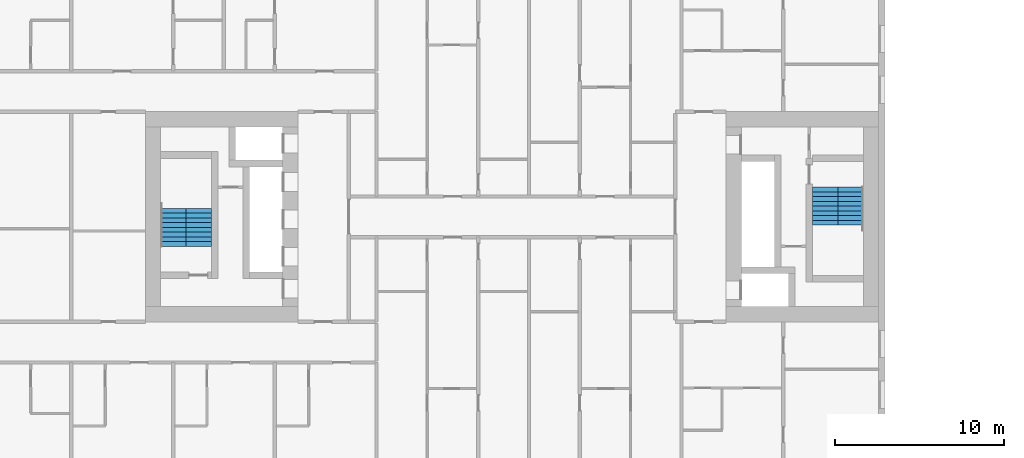
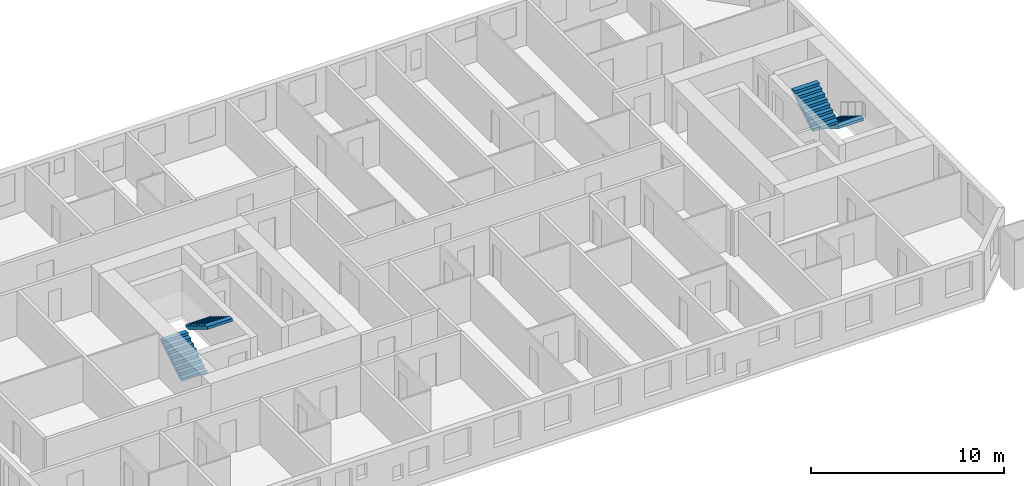
# One storey, part 16 of 17: 4 stair flights, 2 elements without a shape of their own.
"""IFC4 building model written with IfcOpenShell, lengths in metres."""

from ifc_helpers import new_model, si_unit, direction, frame, origin, place, context, subcontext, project, spatial, faceted_brep, material, type_object, element, aggregate, save


model = new_model("IFC4")

# Units and contexts
model_context = context("Model", 3, precision=1e-05, world=origin(), true_north=direction((0.0, 1.0)))
body_context = subcontext(model_context, "Body", "Model", "MODEL_VIEW")
ifc_project = project(units=[si_unit("LENGTHUNIT", "METRE"), si_unit("AREAUNIT", "SQUARE_METRE"), si_unit("VOLUMEUNIT", "CUBIC_METRE"), si_unit("PLANEANGLEUNIT", "RADIAN"), si_unit("MASSUNIT", "GRAM", prefix="KILO")], contexts=[model_context])

# Site, building, storey
site_placement = place(None, origin())
site = spatial("IfcSite", under=ifc_project, at=site_placement, CompositionType="ELEMENT")
building_placement = place(site_placement, origin())
building = spatial("IfcBuilding", under=site, at=building_placement, Name="Tuart Gate Housing", CompositionType="ELEMENT")
storey_placement = place(building_placement, frame((0.0, 0.0, 28.800048828125)))
storey = spatial("IfcBuildingStorey", under=building, at=storey_placement, Name="L07", CompositionType="ELEMENT", Elevation=28.800048828125)

# Stair, stair flights
ifc_material_1 = material(Name="Concrete C40", Category="concrete")
stair_type = type_object("IfcStairType", Name="Core stair 1500", PredefinedType="HALF_TURN_STAIR", material=ifc_material_1)
stair_1_placement = place(storey_placement, origin())
stair_1 = element("IfcStair", 1, at=stair_1_placement, inside=storey, type_object=stair_type, Name="Stair SA1", PredefinedType="HALF_TURN_STAIR")
ifc_material_2 = material(Name="Concrete C40", Category="concrete")
stair_flight_type = type_object("IfcStairFlightType", Name="Stair flight 1500, 9 risers 172 x 280", PredefinedType="STRAIGHT", material=ifc_material_2)
stair_flight_1_placement = place(storey_placement, frame((73.989990234375, 71.75, 0.0), z_axis=(0.0, 0.0, 1.0), x_axis=(0.0, -1.0, 0.0)))
stair_flight_1 = element("IfcStairFlight", 2, at=stair_flight_1_placement, type_object=stair_flight_type, Name="SA1 flight 1", NumberOfRisers=9, NumberOfTreads=8, PredefinedType="STRAIGHT", RiserHeight=0.172222222, TreadLength=0.28, context=body_context, shape_type="Brep", body=[
    faceted_brep([(0.0, 0.75, 0.0), (0.0, 0.75, 0.172119140625), (0.280029296875, 0.75, 0.172119140625), (0.280029296875, 0.75, 0.344482421875), (0.56005859375, 0.75, 0.344482421875), (0.56005859375, 0.75, 0.5166015625), (0.840087890625, 0.75, 0.5166015625), (0.840087890625, 0.75, 0.68896484375), (1.1201171875, 0.75, 0.68896484375), (1.1201171875, 0.75, 0.861083984375), (1.39990234375, 0.75, 0.861083984375), (1.39990234375, 0.75, 1.033447265625), (1.679931640625, 0.75, 1.033447265625), (1.679931640625, 0.75, 1.20556640625), (1.9599609375, 0.75, 1.20556640625), (1.9599609375, 0.75, 1.377685546875), (2.239990234375, 0.75, 1.377685546875), (2.239990234375, 0.75, 1.201904296875), (0.2861328125, 0.75, 0.0), (0.2861328125, -0.75, 0.0), (2.239990234375, -0.75, 1.201904296875), (2.239990234375, -0.75, 1.377685546875), (1.9599609375, -0.75, 1.377685546875), (1.9599609375, -0.75, 1.20556640625), (1.679931640625, -0.75, 1.20556640625), (1.679931640625, -0.75, 1.033447265625), (1.39990234375, -0.75, 1.033447265625), (1.39990234375, -0.75, 0.861083984375), (1.1201171875, -0.75, 0.861083984375), (1.1201171875, -0.75, 0.68896484375), (0.840087890625, -0.75, 0.68896484375), (0.840087890625, -0.75, 0.5166015625), (0.56005859375, -0.75, 0.5166015625), (0.56005859375, -0.75, 0.344482421875), (0.280029296875, -0.75, 0.344482421875), (0.280029296875, -0.75, 0.172119140625), (0.0, -0.75, 0.172119140625), (0.0, -0.75, 0.0), (2.239990234375, 0.0, 1.201904296875), (0.2861328125, 0.0, 0.0), (2.239990234375, 0.0, 1.377685546875), (1.9599609375, 0.0, 1.377685546875), (1.9599609375, 0.0, 1.20556640625), (1.679931640625, 0.0, 1.20556640625), (1.679931640625, 0.0, 1.033447265625), (1.39990234375, 0.0, 1.033447265625), (1.39990234375, 0.0, 0.861083984375), (1.1201171875, 0.0, 0.861083984375), (1.1201171875, 0.0, 0.68896484375), (0.840087890625, 0.0, 0.68896484375), (0.840087890625, 0.0, 0.5166015625), (0.56005859375, 0.0, 0.5166015625), (0.56005859375, 0.0, 0.344482421875), (0.280029296875, 0.0, 0.344482421875), (0.280029296875, 0.0, 0.172119140625), (0.0, 0.0, 0.172119140625), (0.0, 0.0, 0.0)], [[[0, 1, 2, 3, 4, 5, 6, 7, 8, 9, 10, 11, 12, 13, 14, 15, 16, 17, 18]], [[19, 20, 21, 22, 23, 24, 25, 26, 27, 28, 29, 30, 31, 32, 33, 34, 35, 36, 37]], [[18, 17, 38, 39]], [[39, 38, 20, 19]], [[17, 16, 40, 38]], [[38, 40, 21, 20]], [[16, 15, 41, 40]], [[40, 41, 22, 21]], [[15, 14, 42, 41]], [[41, 42, 23, 22]], [[14, 13, 43, 42]], [[42, 43, 24, 23]], [[13, 12, 44, 43]], [[43, 44, 25, 24]], [[12, 11, 45, 44]], [[44, 45, 26, 25]], [[11, 10, 46, 45]], [[45, 46, 27, 26]], [[10, 9, 47, 46]], [[46, 47, 28, 27]], [[9, 8, 48, 47]], [[47, 48, 29, 28]], [[8, 7, 49, 48]], [[48, 49, 30, 29]], [[7, 6, 50, 49]], [[49, 50, 31, 30]], [[6, 5, 51, 50]], [[50, 51, 32, 31]], [[5, 4, 52, 51]], [[51, 52, 33, 32]], [[4, 3, 53, 52]], [[52, 53, 34, 33]], [[3, 2, 54, 53]], [[53, 54, 35, 34]], [[2, 1, 55, 54]], [[54, 55, 36, 35]], [[1, 0, 56, 55]], [[55, 56, 37, 36]], [[0, 18, 39, 56]], [[56, 39, 19, 37]]]),
])
stair_flight_2_placement = place(storey_placement, frame((72.489990234375, 69.510009765625, 1.550048828125), z_axis=(0.0, 0.0, 1.0), x_axis=(0.0, 1.0, 0.0)))
stair_flight_2 = element("IfcStairFlight", 3, at=stair_flight_2_placement, type_object=stair_flight_type, Name="SA1 flight 2", NumberOfRisers=9, NumberOfTreads=8, PredefinedType="STRAIGHT", RiserHeight=0.172222222, TreadLength=0.28, context=body_context, shape_type="Brep", body=[
    faceted_brep([(0.0, 0.75, 0.0), (0.0, 0.75, 0.172119140625), (0.280029296875, 0.75, 0.172119140625), (0.280029296875, 0.75, 0.344482421875), (0.56005859375, 0.75, 0.344482421875), (0.56005859375, 0.75, 0.5166015625), (0.840087890625, 0.75, 0.5166015625), (0.840087890625, 0.75, 0.68896484375), (1.1201171875, 0.75, 0.68896484375), (1.1201171875, 0.75, 0.861083984375), (1.39990234375, 0.75, 0.861083984375), (1.39990234375, 0.75, 1.033447265625), (1.679931640625, 0.75, 1.033447265625), (1.679931640625, 0.75, 1.20556640625), (1.9599609375, 0.75, 1.20556640625), (1.9599609375, 0.75, 1.377685546875), (2.239990234375, 0.75, 1.377685546875), (2.239990234375, 0.75, 1.201904296875), (0.2861328125, 0.75, 0.0), (0.2861328125, -0.75, 0.0), (2.239990234375, -0.75, 1.201904296875), (2.239990234375, -0.75, 1.377685546875), (1.9599609375, -0.75, 1.377685546875), (1.9599609375, -0.75, 1.20556640625), (1.679931640625, -0.75, 1.20556640625), (1.679931640625, -0.75, 1.033447265625), (1.39990234375, -0.75, 1.033447265625), (1.39990234375, -0.75, 0.861083984375), (1.1201171875, -0.75, 0.861083984375), (1.1201171875, -0.75, 0.68896484375), (0.840087890625, -0.75, 0.68896484375), (0.840087890625, -0.75, 0.5166015625), (0.56005859375, -0.75, 0.5166015625), (0.56005859375, -0.75, 0.344482421875), (0.280029296875, -0.75, 0.344482421875), (0.280029296875, -0.75, 0.172119140625), (0.0, -0.75, 0.172119140625), (0.0, -0.75, 0.0), (2.239990234375, 0.0, 1.201904296875), (0.2861328125, 0.0, 0.0), (2.239990234375, 0.0, 1.377685546875), (1.9599609375, 0.0, 1.377685546875), (1.9599609375, 0.0, 1.20556640625), (1.679931640625, 0.0, 1.20556640625), (1.679931640625, 0.0, 1.033447265625), (1.39990234375, 0.0, 1.033447265625), (1.39990234375, 0.0, 0.861083984375), (1.1201171875, 0.0, 0.861083984375), (1.1201171875, 0.0, 0.68896484375), (0.840087890625, 0.0, 0.68896484375), (0.840087890625, 0.0, 0.5166015625), (0.56005859375, 0.0, 0.5166015625), (0.56005859375, 0.0, 0.344482421875), (0.280029296875, 0.0, 0.344482421875), (0.280029296875, 0.0, 0.172119140625), (0.0, 0.0, 0.172119140625), (0.0, 0.0, 0.0)], [[[0, 1, 2, 3, 4, 5, 6, 7, 8, 9, 10, 11, 12, 13, 14, 15, 16, 17, 18]], [[19, 20, 21, 22, 23, 24, 25, 26, 27, 28, 29, 30, 31, 32, 33, 34, 35, 36, 37]], [[18, 17, 38, 39]], [[39, 38, 20, 19]], [[17, 16, 40, 38]], [[38, 40, 21, 20]], [[16, 15, 41, 40]], [[40, 41, 22, 21]], [[15, 14, 42, 41]], [[41, 42, 23, 22]], [[14, 13, 43, 42]], [[42, 43, 24, 23]], [[13, 12, 44, 43]], [[43, 44, 25, 24]], [[12, 11, 45, 44]], [[44, 45, 26, 25]], [[11, 10, 46, 45]], [[45, 46, 27, 26]], [[10, 9, 47, 46]], [[46, 47, 28, 27]], [[9, 8, 48, 47]], [[47, 48, 29, 28]], [[8, 7, 49, 48]], [[48, 49, 30, 29]], [[7, 6, 50, 49]], [[49, 50, 31, 30]], [[6, 5, 51, 50]], [[50, 51, 32, 31]], [[5, 4, 52, 51]], [[51, 52, 33, 32]], [[4, 3, 53, 52]], [[52, 53, 34, 33]], [[3, 2, 54, 53]], [[53, 54, 35, 34]], [[2, 1, 55, 54]], [[54, 55, 36, 35]], [[1, 0, 56, 55]], [[55, 56, 37, 36]], [[0, 18, 39, 56]], [[56, 39, 19, 37]]]),
])
aggregate(stair_1, [stair_flight_1, stair_flight_2])

stair_2_placement = place(storey_placement, origin())
stair_2 = element("IfcStair", 4, at=stair_2_placement, inside=storey, type_object=stair_type, Name="Stair SA2", PredefinedType="HALF_TURN_STAIR")
stair_flight_3_placement = place(storey_placement, frame((34.010009765625, 68.25, 0.0), z_axis=(0.0, 0.0, 1.0), x_axis=(0.0, 1.0, 0.0)))
stair_flight_3 = element("IfcStairFlight", 5, at=stair_flight_3_placement, type_object=stair_flight_type, Name="SA2 flight 1", NumberOfRisers=9, NumberOfTreads=8, PredefinedType="STRAIGHT", RiserHeight=0.172222222, TreadLength=0.28, context=body_context, shape_type="Brep", body=[
    faceted_brep([(0.0, 0.75, 0.0), (0.0, 0.75, 0.172119140625), (0.280029296875, 0.75, 0.172119140625), (0.280029296875, 0.75, 0.344482421875), (0.56005859375, 0.75, 0.344482421875), (0.56005859375, 0.75, 0.5166015625), (0.840087890625, 0.75, 0.5166015625), (0.840087890625, 0.75, 0.68896484375), (1.1201171875, 0.75, 0.68896484375), (1.1201171875, 0.75, 0.861083984375), (1.39990234375, 0.75, 0.861083984375), (1.39990234375, 0.75, 1.033447265625), (1.679931640625, 0.75, 1.033447265625), (1.679931640625, 0.75, 1.20556640625), (1.9599609375, 0.75, 1.20556640625), (1.9599609375, 0.75, 1.377685546875), (2.239990234375, 0.75, 1.377685546875), (2.239990234375, 0.75, 1.201904296875), (0.2861328125, 0.75, 0.0), (0.2861328125, -0.75, 0.0), (2.239990234375, -0.75, 1.201904296875), (2.239990234375, -0.75, 1.377685546875), (1.9599609375, -0.75, 1.377685546875), (1.9599609375, -0.75, 1.20556640625), (1.679931640625, -0.75, 1.20556640625), (1.679931640625, -0.75, 1.033447265625), (1.39990234375, -0.75, 1.033447265625), (1.39990234375, -0.75, 0.861083984375), (1.1201171875, -0.75, 0.861083984375), (1.1201171875, -0.75, 0.68896484375), (0.840087890625, -0.75, 0.68896484375), (0.840087890625, -0.75, 0.5166015625), (0.56005859375, -0.75, 0.5166015625), (0.56005859375, -0.75, 0.344482421875), (0.280029296875, -0.75, 0.344482421875), (0.280029296875, -0.75, 0.172119140625), (0.0, -0.75, 0.172119140625), (0.0, -0.75, 0.0), (2.239990234375, 0.0, 1.201904296875), (0.2861328125, 0.0, 0.0), (2.239990234375, 0.0, 1.377685546875), (1.9599609375, 0.0, 1.377685546875), (1.9599609375, 0.0, 1.20556640625), (1.679931640625, 0.0, 1.20556640625), (1.679931640625, 0.0, 1.033447265625), (1.39990234375, 0.0, 1.033447265625), (1.39990234375, 0.0, 0.861083984375), (1.1201171875, 0.0, 0.861083984375), (1.1201171875, 0.0, 0.68896484375), (0.840087890625, 0.0, 0.68896484375), (0.840087890625, 0.0, 0.5166015625), (0.56005859375, 0.0, 0.5166015625), (0.56005859375, 0.0, 0.344482421875), (0.280029296875, 0.0, 0.344482421875), (0.280029296875, 0.0, 0.172119140625), (0.0, 0.0, 0.172119140625), (0.0, 0.0, 0.0)], [[[0, 1, 2, 3, 4, 5, 6, 7, 8, 9, 10, 11, 12, 13, 14, 15, 16, 17, 18]], [[19, 20, 21, 22, 23, 24, 25, 26, 27, 28, 29, 30, 31, 32, 33, 34, 35, 36, 37]], [[18, 17, 38, 39]], [[39, 38, 20, 19]], [[17, 16, 40, 38]], [[38, 40, 21, 20]], [[16, 15, 41, 40]], [[40, 41, 22, 21]], [[15, 14, 42, 41]], [[41, 42, 23, 22]], [[14, 13, 43, 42]], [[42, 43, 24, 23]], [[13, 12, 44, 43]], [[43, 44, 25, 24]], [[12, 11, 45, 44]], [[44, 45, 26, 25]], [[11, 10, 46, 45]], [[45, 46, 27, 26]], [[10, 9, 47, 46]], [[46, 47, 28, 27]], [[9, 8, 48, 47]], [[47, 48, 29, 28]], [[8, 7, 49, 48]], [[48, 49, 30, 29]], [[7, 6, 50, 49]], [[49, 50, 31, 30]], [[6, 5, 51, 50]], [[50, 51, 32, 31]], [[5, 4, 52, 51]], [[51, 52, 33, 32]], [[4, 3, 53, 52]], [[52, 53, 34, 33]], [[3, 2, 54, 53]], [[53, 54, 35, 34]], [[2, 1, 55, 54]], [[54, 55, 36, 35]], [[1, 0, 56, 55]], [[55, 56, 37, 36]], [[0, 18, 39, 56]], [[56, 39, 19, 37]]]),
])
stair_flight_4_placement = place(storey_placement, frame((35.510009765625, 70.489990234375, 1.550048828125), z_axis=(0.0, 0.0, 1.0), x_axis=(0.0, -1.0, 0.0)))
stair_flight_4 = element("IfcStairFlight", 6, at=stair_flight_4_placement, type_object=stair_flight_type, Name="SA2 flight 2", NumberOfRisers=9, NumberOfTreads=8, PredefinedType="STRAIGHT", RiserHeight=0.172222222, TreadLength=0.28, context=body_context, shape_type="Brep", body=[
    faceted_brep([(0.0, 0.75, 0.0), (0.0, 0.75, 0.172119140625), (0.280029296875, 0.75, 0.172119140625), (0.280029296875, 0.75, 0.344482421875), (0.56005859375, 0.75, 0.344482421875), (0.56005859375, 0.75, 0.5166015625), (0.840087890625, 0.75, 0.5166015625), (0.840087890625, 0.75, 0.68896484375), (1.1201171875, 0.75, 0.68896484375), (1.1201171875, 0.75, 0.861083984375), (1.39990234375, 0.75, 0.861083984375), (1.39990234375, 0.75, 1.033447265625), (1.679931640625, 0.75, 1.033447265625), (1.679931640625, 0.75, 1.20556640625), (1.9599609375, 0.75, 1.20556640625), (1.9599609375, 0.75, 1.377685546875), (2.239990234375, 0.75, 1.377685546875), (2.239990234375, 0.75, 1.201904296875), (0.2861328125, 0.75, 0.0), (0.2861328125, -0.75, 0.0), (2.239990234375, -0.75, 1.201904296875), (2.239990234375, -0.75, 1.377685546875), (1.9599609375, -0.75, 1.377685546875), (1.9599609375, -0.75, 1.20556640625), (1.679931640625, -0.75, 1.20556640625), (1.679931640625, -0.75, 1.033447265625), (1.39990234375, -0.75, 1.033447265625), (1.39990234375, -0.75, 0.861083984375), (1.1201171875, -0.75, 0.861083984375), (1.1201171875, -0.75, 0.68896484375), (0.840087890625, -0.75, 0.68896484375), (0.840087890625, -0.75, 0.5166015625), (0.56005859375, -0.75, 0.5166015625), (0.56005859375, -0.75, 0.344482421875), (0.280029296875, -0.75, 0.344482421875), (0.280029296875, -0.75, 0.172119140625), (0.0, -0.75, 0.172119140625), (0.0, -0.75, 0.0), (2.239990234375, 0.0, 1.201904296875), (0.2861328125, 0.0, 0.0), (2.239990234375, 0.0, 1.377685546875), (1.9599609375, 0.0, 1.377685546875), (1.9599609375, 0.0, 1.20556640625), (1.679931640625, 0.0, 1.20556640625), (1.679931640625, 0.0, 1.033447265625), (1.39990234375, 0.0, 1.033447265625), (1.39990234375, 0.0, 0.861083984375), (1.1201171875, 0.0, 0.861083984375), (1.1201171875, 0.0, 0.68896484375), (0.840087890625, 0.0, 0.68896484375), (0.840087890625, 0.0, 0.5166015625), (0.56005859375, 0.0, 0.5166015625), (0.56005859375, 0.0, 0.344482421875), (0.280029296875, 0.0, 0.344482421875), (0.280029296875, 0.0, 0.172119140625), (0.0, 0.0, 0.172119140625), (0.0, 0.0, 0.0)], [[[0, 1, 2, 3, 4, 5, 6, 7, 8, 9, 10, 11, 12, 13, 14, 15, 16, 17, 18]], [[19, 20, 21, 22, 23, 24, 25, 26, 27, 28, 29, 30, 31, 32, 33, 34, 35, 36, 37]], [[18, 17, 38, 39]], [[39, 38, 20, 19]], [[17, 16, 40, 38]], [[38, 40, 21, 20]], [[16, 15, 41, 40]], [[40, 41, 22, 21]], [[15, 14, 42, 41]], [[41, 42, 23, 22]], [[14, 13, 43, 42]], [[42, 43, 24, 23]], [[13, 12, 44, 43]], [[43, 44, 25, 24]], [[12, 11, 45, 44]], [[44, 45, 26, 25]], [[11, 10, 46, 45]], [[45, 46, 27, 26]], [[10, 9, 47, 46]], [[46, 47, 28, 27]], [[9, 8, 48, 47]], [[47, 48, 29, 28]], [[8, 7, 49, 48]], [[48, 49, 30, 29]], [[7, 6, 50, 49]], [[49, 50, 31, 30]], [[6, 5, 51, 50]], [[50, 51, 32, 31]], [[5, 4, 52, 51]], [[51, 52, 33, 32]], [[4, 3, 53, 52]], [[52, 53, 34, 33]], [[3, 2, 54, 53]], [[53, 54, 35, 34]], [[2, 1, 55, 54]], [[54, 55, 36, 35]], [[1, 0, 56, 55]], [[55, 56, 37, 36]], [[0, 18, 39, 56]], [[56, 39, 19, 37]]]),
])
aggregate(stair_2, [stair_flight_3, stair_flight_4])

save(model, "model.ifc")
